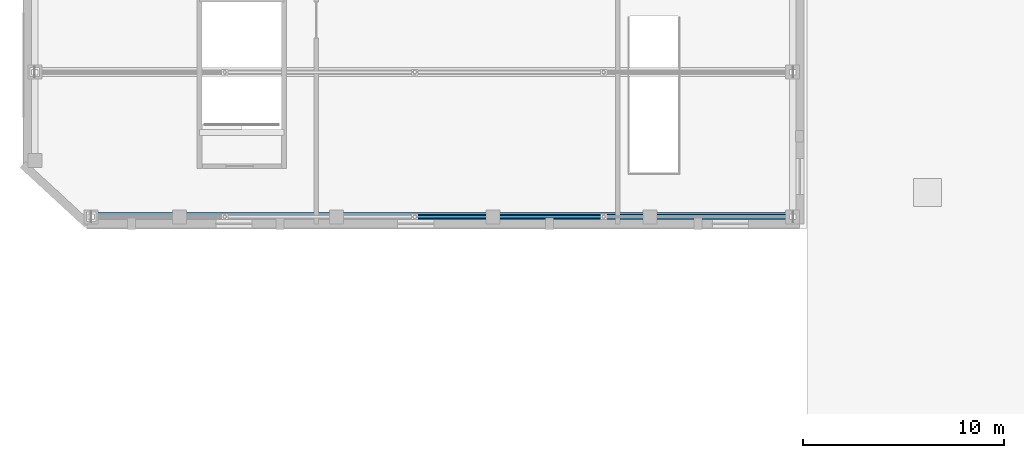
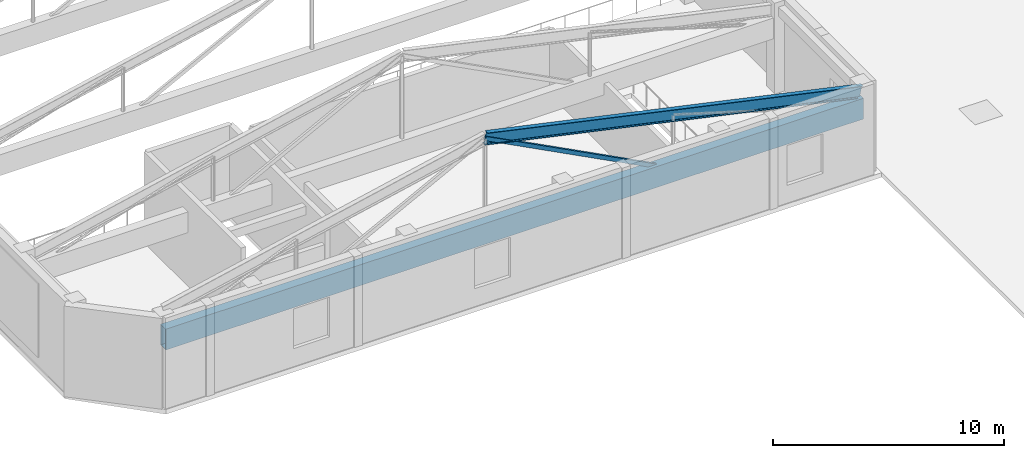
# One storey, part 17 of 105: 2 beams, 1 member.
"""IFC4 building model written with IfcOpenShell, lengths in metres."""

from ifc_helpers import new_model, si_unit, direction, frame, origin, origin_2d, place, context, subcontext, project, spatial, hollow_rectangle, i_section, extrude, material, material_profile, profile_set, type_object, element, save


model = new_model("IFC4")

# Units and contexts
model_context = context("Model", 3, precision=1e-05, world=origin(), true_north=direction((0.0, 1.0)))
body_context = subcontext(model_context, "Body", "Model", "MODEL_VIEW")
ifc_project = project(units=[si_unit("LENGTHUNIT", "METRE"), si_unit("AREAUNIT", "SQUARE_METRE"), si_unit("VOLUMEUNIT", "CUBIC_METRE"), si_unit("PLANEANGLEUNIT", "RADIAN"), si_unit("MASSUNIT", "GRAM", prefix="KILO")], contexts=[model_context])

# Site, building, storey
site_placement = place(None, origin())
site = spatial("IfcSite", under=ifc_project, at=site_placement, CompositionType="ELEMENT")
building_placement = place(site_placement, origin())
building = spatial("IfcBuilding", under=site, at=building_placement, Name="Pelvatis Terrace Science Centre", CompositionType="ELEMENT")
storey_placement = place(building_placement, frame((0.0, 0.0, 10.199951171875)))
storey = spatial("IfcBuildingStorey", under=building, at=storey_placement, Name="L02", CompositionType="ELEMENT", Elevation=10.199951171875)

# Beams
ifc_material_1 = material(Name="Structural steel S355", Category="steel")
ifc_material_profile_1 = material_profile(ifc_material_1, hollow_rectangle(XDim=0.449951171875, YDim=1.10009765625, WallThickness=0.02197265625, at=origin_2d()), Name="RHS 1100x450x22.0")
ifc_profile_set_1 = profile_set([ifc_material_profile_1], Name="Structural steel S355")
beam_type_1 = type_object("IfcBeamType", Name="BM-STL-BOX1100", PredefinedType="BEAM", material=ifc_profile_set_1)
beam_1_placement = place(storey_placement, frame((11.199951171875, 70.800048828125, 3.400146484375), z_axis=(1.0, 0.0, 0.0), x_axis=(0.0, 1.0, 0.0)))
element("IfcBeam", 1, at=beam_1_placement, inside=storey, type_object=beam_type_1, Name="Theatre roof truss 1 bottom tie girder", PredefinedType="BEAM", context=body_context, shape_type="SweptSolid", body=[
    extrude(hollow_rectangle(XDim=0.449951171875, YDim=1.10009765625, WallThickness=0.02197265625, at=origin_2d()), origin(), (0.0, 0.0, 1.0), 34.900146484375),
])
ifc_material_2 = material(Name="Structural steel S355", Category="steel")
ifc_material_profile_2 = material_profile(ifc_material_2, i_section(OverallWidth=0.22998046875, OverallDepth=0.616943359375, WebThickness=0.01318359375, FlangeThickness=0.022216796875, FilletRadius=0.01611328125, at=origin_2d()), Name="W610x140")
ifc_profile_set_2 = profile_set([ifc_material_profile_2], Name="Structural steel S355")
beam_type_2 = type_object("IfcBeamType", Name="BM-STL-W610x140", PredefinedType="BEAM", material=ifc_profile_set_2)
beam_2_placement = place(storey_placement, frame((27.300048828125, 70.800048828125, 8.300048828125), z_axis=(0.977034495262, 0.0, -0.213081193603), x_axis=(0.0, 1.0, 0.0)))
element("IfcBeam", 2, at=beam_2_placement, inside=storey, type_object=beam_type_2, Name="Theatre roof truss 1 east top girder", PredefinedType="BEAM", context=body_context, shape_type="SweptSolid", body=[
    extrude(i_section(OverallWidth=0.22998046875, OverallDepth=0.616943359375, WebThickness=0.01318359375, FlangeThickness=0.022216796875, FilletRadius=0.01611328125, at=origin_2d()), origin(), (0.0, 0.0, 1.0), 19.241943359375),
])

# Member
ifc_material_3 = material(Name="Structural steel S355", Category="steel")
ifc_material_profile_3 = material_profile(ifc_material_3, hollow_rectangle(XDim=0.1201171875, YDim=0.199951171875, WallThickness=0.00634765625, at=origin_2d()), Name="RHS 200x120x6.3")
ifc_profile_set_3 = profile_set([ifc_material_profile_3], Name="Structural steel S355")
member_type = type_object("IfcMemberType", Name="MEM-BRC-RHS200", PredefinedType="BRACE", material=ifc_profile_set_3)
member_placement = place(storey_placement, frame((36.699951171875, 70.800048828125, 3.400146484375), z_axis=(-0.886754801101, 0.0, 0.462240113711), x_axis=(0.0, -1.0, 0.0)))
element("IfcMember", 3, at=member_placement, inside=storey, type_object=member_type, Name="Theatre truss 1 web 6", PredefinedType="BRACE", context=body_context, shape_type="SweptSolid", body=[
    extrude(hollow_rectangle(XDim=0.1201171875, YDim=0.199951171875, WallThickness=0.00634765625, at=origin_2d()), origin(), (0.0, 0.0, 1.0), 10.600341796875),
])

save(model, "model.ifc")
